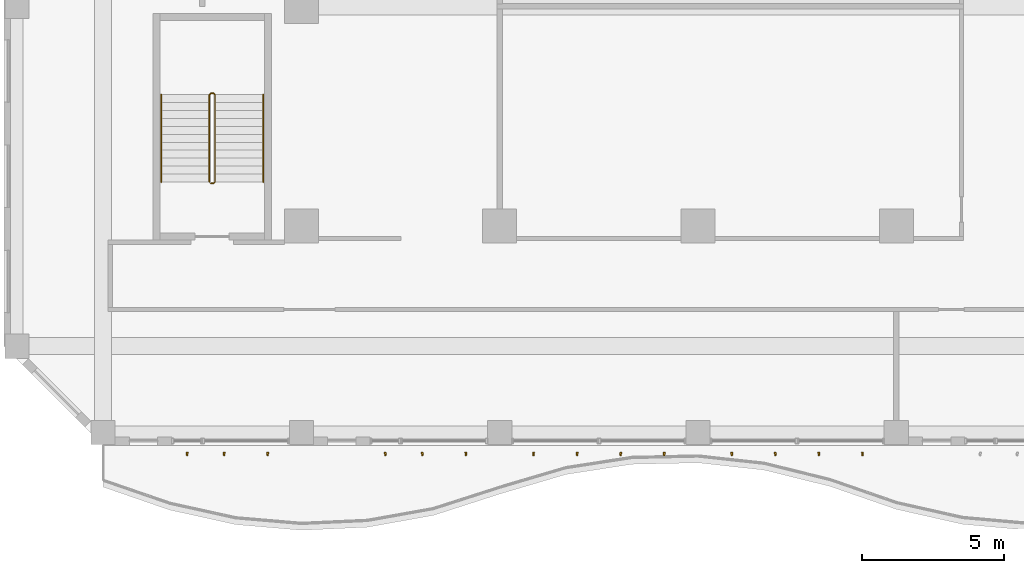
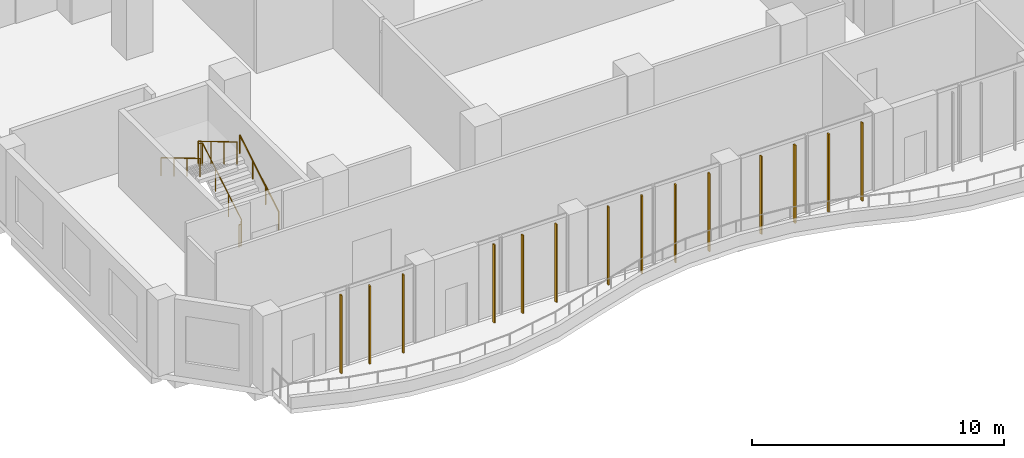
# One storey, part 19 of 26: 14 shading devices, 3 railings.
"""IFC4 building model written with IfcOpenShell, lengths in metres."""

from ifc_helpers import new_model, si_unit, direction, frame, origin, origin_2d, place, context, subcontext, project, spatial, rectangle, circle, extrude, source, transform, mapped, material, material_profile, profile_set, type_object, element, save


model = new_model("IFC4")

# Units and contexts
model_context = context("Model", 3, precision=1e-05, world=origin(), true_north=direction((0.0, 1.0)))
body_context = subcontext(model_context, "Body", "Model", "MODEL_VIEW")
ifc_project = project(units=[si_unit("LENGTHUNIT", "METRE"), si_unit("AREAUNIT", "SQUARE_METRE"), si_unit("VOLUMEUNIT", "CUBIC_METRE"), si_unit("PLANEANGLEUNIT", "RADIAN"), si_unit("MASSUNIT", "GRAM", prefix="KILO")], contexts=[model_context])

# Site, building, storey
site_placement = place(None, origin())
site = spatial("IfcSite", under=ifc_project, at=site_placement, CompositionType="ELEMENT")
building_placement = place(site_placement, origin())
building = spatial("IfcBuilding", under=site, at=building_placement, Name="Kilnfold Tower and Market Hall", CompositionType="ELEMENT")
storey_placement = place(building_placement, frame((0.0, 0.0, 104.60009765625)))
storey = spatial("IfcBuildingStorey", under=building, at=storey_placement, Name="L24", CompositionType="ELEMENT", Elevation=104.60009765625)

# Railings
ifc_material_1 = material(Name="Stainless steel 316", Category="steel")
railing_type_1 = type_object("IfcRailingType", Name="CORE STAIR GUARD 1100", PredefinedType="GUARDRAIL", material=ifc_material_1)
railing_1_placement = place(storey_placement, frame((-15.699951171875, -13.75, 0.0)))
element("IfcRailing", 1, at=railing_1_placement, inside=storey, type_object=railing_type_1, Name="L24 ST3 stair guard 1", PredefinedType="GUARDRAIL", context=body_context, shape_type="SweptSolid", body=[
    extrude(circle(Radius=0.02392578125, at=origin_2d()), frame((0.0, 0.0, 1.076171875), z_axis=(1.0, 0.0, 0.0), x_axis=(0.0, 1.0, 0.0)), (0.0, 0.0, 1.0), 0.099853515625),
    extrude(circle(Radius=0.02392578125, at=origin_2d()), frame((0.099853515625, 0.0, 1.076171875), z_axis=(0.27662974545, 0.27662974545, 0.920299933644), x_axis=(-0.707106781187, 0.707106781187, 0.0)), (0.0, 0.0, 1.0), 0.180908203125),
    extrude(circle(Radius=0.02392578125, at=origin_2d()), frame((0.14990234375, 0.050048828125, 1.24267578125), z_axis=(0.0, 0.859260807169, 0.511537745687), x_axis=(-1.0, 0.0, 0.0)), (0.0, 0.0, 1.0), 3.584228515625),
    extrude(circle(Radius=0.02392578125, at=origin_2d()), frame((0.14990234375, 3.1298828125, 3.076171875), z_axis=(-0.707106781187, 0.707106781187, 0.0), x_axis=(-0.707106781187, -0.707106781187, 0.0)), (0.0, 0.0, 1.0), 0.07080078125),
    extrude(circle(Radius=0.02392578125, at=origin_2d()), frame((0.099853515625, 3.179931640625, 3.076171875), z_axis=(-1.0, 0.0, 0.0), x_axis=(0.0, -1.0, 0.0)), (0.0, 0.0, 1.0), 0.099853515625),
    extrude(circle(Radius=0.02392578125, at=origin_2d()), frame((0.0, 3.179931640625, 3.076171875), z_axis=(-0.27662974545, -0.27662974545, 0.920299933644), x_axis=(0.707106781187, -0.707106781187, 0.0)), (0.0, 0.0, 1.0), 0.180908203125),
    extrude(circle(Radius=0.02392578125, at=origin_2d()), frame((-0.050048828125, 3.1298828125, 3.24267578125), z_axis=(0.0, -0.859260807169, 0.511537745687), x_axis=(1.0, 0.0, 0.0)), (0.0, 0.0, 1.0), 3.584228515625),
    extrude(circle(Radius=0.02099609375, at=origin_2d()), origin(), (0.0, 0.0, 1.0), 1.052001953125),
    extrude(circle(Radius=0.02099609375, at=origin_2d()), frame((0.099853515625, 0.0, 0.0)), (0.0, 0.0, 1.0), 1.052001953125),
    extrude(circle(Radius=0.02099609375, at=origin_2d()), frame((0.14990234375, 0.050048828125, 0.16650390625)), (0.0, 0.0, 1.0), 1.052001953125),
    extrude(circle(Radius=0.02099609375, at=origin_2d()), frame((0.14990234375, 1.07666015625, 0.777587890625)), (0.0, 0.0, 1.0), 1.052001953125),
    extrude(circle(Radius=0.02099609375, at=origin_2d()), frame((0.14990234375, 2.103271484375, 1.388916015625)), (0.0, 0.0, 1.0), 1.052001953125),
    extrude(circle(Radius=0.02099609375, at=origin_2d()), frame((0.14990234375, 3.1298828125, 2.0)), (0.0, 0.0, 1.0), 1.052001953125),
    extrude(circle(Radius=0.02099609375, at=origin_2d()), frame((0.099853515625, 3.179931640625, 2.0)), (0.0, 0.0, 1.0), 1.052001953125),
    extrude(circle(Radius=0.02099609375, at=origin_2d()), frame((0.0, 3.179931640625, 2.0)), (0.0, 0.0, 1.0), 1.052001953125),
    extrude(circle(Radius=0.02099609375, at=origin_2d()), frame((-0.050048828125, 3.1298828125, 2.16650390625)), (0.0, 0.0, 1.0), 1.052001953125),
    extrude(circle(Radius=0.02099609375, at=origin_2d()), frame((-0.050048828125, 2.103271484375, 2.777587890625)), (0.0, 0.0, 1.0), 1.052001953125),
    extrude(circle(Radius=0.02099609375, at=origin_2d()), frame((-0.050048828125, 1.07666015625, 3.388916015625)), (0.0, 0.0, 1.0), 1.052001953125),
    extrude(circle(Radius=0.02099609375, at=origin_2d()), frame((-0.050048828125, 0.050048828125, 4.0)), (0.0, 0.0, 1.0), 1.052001953125),
])
ifc_material_2 = material(Name="Stainless steel 316", Category="steel")
railing_type_2 = type_object("IfcRailingType", Name="CORE STAIR HANDRAIL 900", PredefinedType="HANDRAIL", material=ifc_material_2)
railing_2_placement = place(storey_placement, frame((-13.85009765625, -13.699951171875, 0.16650390625)))
element("IfcRailing", 2, at=railing_2_placement, inside=storey, type_object=railing_type_2, Name="L24 ST3 stair handrail 1", PredefinedType="HANDRAIL", context=body_context, shape_type="SweptSolid", body=[
    extrude(circle(Radius=0.02392578125, at=origin_2d()), frame((0.0, 0.0, 0.8759765625), z_axis=(0.0, 0.859260807169, 0.511537745687), x_axis=(-1.0, 0.0, 0.0)), (0.0, 0.0, 1.0), 3.584228515625),
    extrude(circle(Radius=0.02099609375, at=origin_2d()), origin(), (0.0, 0.0, 1.0), 0.851806640625),
    extrude(circle(Radius=0.02099609375, at=origin_2d()), frame((0.0, 1.026611328125, 0.611083984375)), (0.0, 0.0, 1.0), 0.851806640625),
    extrude(circle(Radius=0.02099609375, at=origin_2d()), frame((0.0, 2.05322265625, 1.222412109375)), (0.0, 0.0, 1.0), 0.851806640625),
    extrude(circle(Radius=0.02099609375, at=origin_2d()), frame((0.0, 3.079833984375, 1.83349609375)), (0.0, 0.0, 1.0), 0.851806640625),
])
railing_3_placement = place(storey_placement, frame((-17.449951171875, -10.6201171875, 2.16650390625)))
element("IfcRailing", 3, at=railing_3_placement, inside=storey, type_object=railing_type_2, Name="L24 ST3 stair handrail 2", PredefinedType="HANDRAIL", context=body_context, shape_type="SweptSolid", body=[
    extrude(circle(Radius=0.02392578125, at=origin_2d()), frame((0.0, 0.0, 0.8759765625), z_axis=(0.0, -0.859260807169, 0.511537745687), x_axis=(1.0, 0.0, 0.0)), (0.0, 0.0, 1.0), 3.584228515625),
    extrude(circle(Radius=0.02099609375, at=origin_2d()), origin(), (0.0, 0.0, 1.0), 0.851806640625),
    extrude(circle(Radius=0.02099609375, at=origin_2d()), frame((0.0, -1.026611328125, 0.611083984375)), (0.0, 0.0, 1.0), 0.851806640625),
    extrude(circle(Radius=0.02099609375, at=origin_2d()), frame((0.0, -2.05322265625, 1.222412109375)), (0.0, 0.0, 1.0), 0.851806640625),
    extrude(circle(Radius=0.02099609375, at=origin_2d()), frame((0.0, -3.079833984375, 1.83349609375)), (0.0, 0.0, 1.0), 0.851806640625),
])

# Shading devices
ifc_material_3 = material(Name="Terracotta", Category="masonry")
ifc_material_profile = material_profile(ifc_material_3, rectangle(XDim=0.06005859375, YDim=0.1201171875, at=origin_2d()), Name="BAG 60x120")
ifc_profile_set = profile_set([ifc_material_profile], Name="Terracotta")
shading_device_type = type_object("IfcShadingDeviceType", Name="BAGUETTE", PredefinedType="USERDEFINED", material=ifc_profile_set)
shared_shape = source(origin(), body_context, "Body", "SweptSolid", [
    extrude(rectangle(XDim=0.06005859375, YDim=0.1201171875, at=origin_2d()), origin(), (0.0, 0.0, 1.0), 3.77978515625),
])
for number, where, z_axis, x_axis, name in (
    (4, (-16.53759765625, -23.300048828125, 0.0), (0.0, 0.0, 1.0), (0.990880719031, -0.134741978063, 0.0), "Terracotta baguette L24 S"),
    (5, (-15.231201171875, -23.300048828125, 0.0), (0.0, 0.0, 1.0), (0.991303038003, -0.131598962176, 0.0), "Terracotta baguette L24 S"),
    (6, (-13.693603515625, -23.300048828125, 0.0), (0.0, 0.0, 1.0), (0.997352687943, -0.072715994473, 0.0), "Terracotta baguette L24 S"),
    (7, (-9.53759765625, -23.300048828125, 0.0), (0.0, 0.0, 1.0), (0.990880719031, 0.134741978063, 0.0), "Terracotta baguette L24 S"),
    (8, (-8.231201171875, -23.300048828125, 0.0), (0.0, 0.0, 1.0), (0.991303038003, 0.131598962176, 0.0), "Terracotta baguette L24 S"),
    (9, (-6.69384765625, -23.300048828125, 0.0), (0.0, 0.0, 1.0), (0.997352687943, 0.072715994473, 0.0), "Terracotta baguette L24 S"),
    (10, (-4.30615234375, -23.300048828125, 0.0), (0.0, 0.0, 1.0), (0.997567579674, -0.069705982401, 0.0), "Terracotta baguette L24 S"),
    (11, (-2.768798828125, -23.300048828125, 0.0), (0.0, 0.0, 1.0), (0.991458524608, -0.130422367641, 0.0), "Terracotta baguette L24 S"),
    (12, (-1.231201171875, -23.300048828125, 0.0), (0.0, 0.0, 1.0), (0.991303038003, -0.131598962176, 0.0), "Terracotta baguette L24 S"),
    (13, (0.30615234375, -23.300048828125, 0.0), (0.0, 0.0, 1.0), (0.997352687943, -0.072715994473, 0.0), "Terracotta baguette L24 S"),
    (14, (2.69384765625, -23.300048828125, 0.0), (0.0, 0.0, 1.0), (0.997567579674, 0.069705982401, 0.0), "Terracotta baguette L24 S"),
    (15, (4.231201171875, -23.300048828125, 0.0), (0.0, 0.0, 1.0), (0.991458524608, 0.130422367641, 0.0), "Terracotta baguette L24 S"),
    (16, (5.768798828125, -23.300048828125, 0.0), (0.0, 0.0, 1.0), (0.991303038003, 0.131598962176, 0.0), "Terracotta baguette L24 S"),
    (17, (7.30615234375, -23.300048828125, 0.0), (0.0, 0.0, 1.0), (0.997352687943, 0.072715994473, 0.0), "Terracotta baguette L24 S"),
):
    element("IfcShadingDevice", number, at=place(storey_placement, frame(where, z_axis=z_axis, x_axis=x_axis)), inside=storey, type_object=shading_device_type, Name=name, ObjectType="BAGUETTE", PredefinedType="USERDEFINED", context=body_context, shape_type="MappedRepresentation", body=[
        mapped(shared_shape, transform((0.0, 0.0, 0.0))),
    ])

save(model, "model.ifc")
